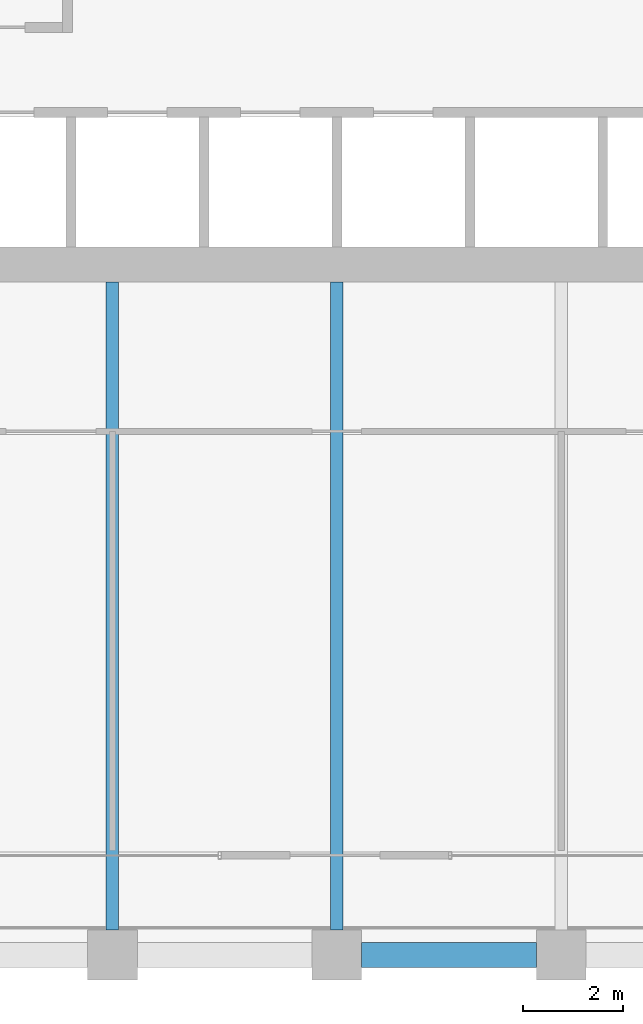
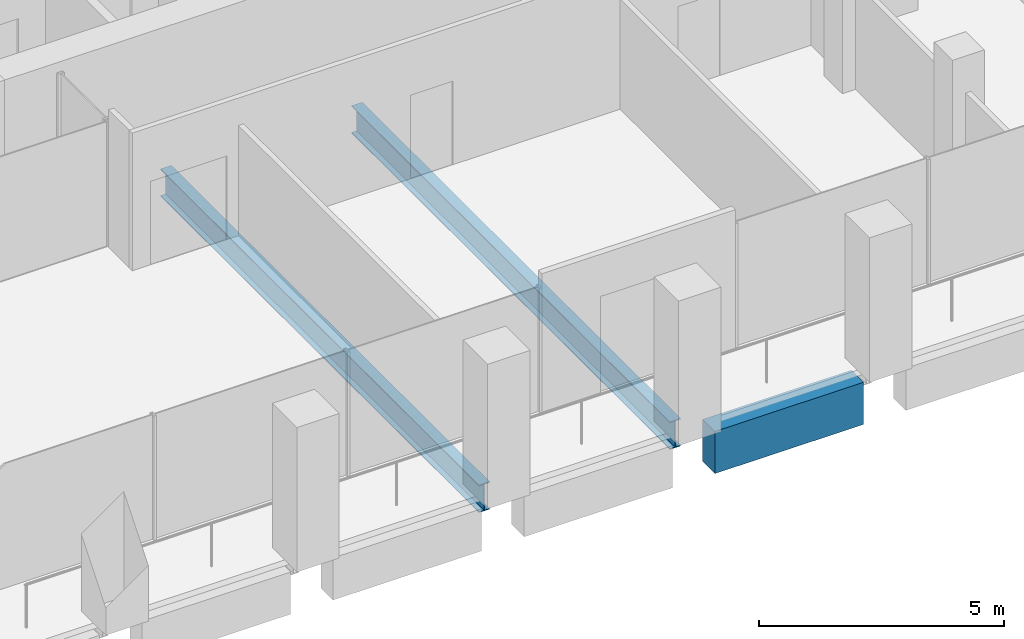
# One storey, part 8 of 46: 3 beams.
"""IFC4 building model written with IfcOpenShell, lengths in metres."""

from ifc_helpers import new_model, si_unit, direction, frame, origin, origin_2d, place, context, subcontext, project, spatial, rectangle, i_section, extrude, material, material_profile, profile_set, type_object, element, save


model = new_model("IFC4")

# Units and contexts
model_context = context("Model", 3, precision=1e-05, world=origin(), true_north=direction((0.0, 1.0)))
body_context = subcontext(model_context, "Body", "Model", "MODEL_VIEW")
ifc_project = project(units=[si_unit("LENGTHUNIT", "METRE"), si_unit("AREAUNIT", "SQUARE_METRE"), si_unit("VOLUMEUNIT", "CUBIC_METRE"), si_unit("PLANEANGLEUNIT", "RADIAN"), si_unit("MASSUNIT", "GRAM", prefix="KILO")], contexts=[model_context])

# Site, building, storey
site_placement = place(None, origin())
site = spatial("IfcSite", under=ifc_project, at=site_placement, CompositionType="ELEMENT")
building_placement = place(site_placement, origin())
building = spatial("IfcBuilding", under=site, at=building_placement, Name="Altepetl Exchange Towers", CompositionType="ELEMENT")
storey_placement = place(building_placement, frame((0.0, 0.0, 106.39990234375)))
storey = spatial("IfcBuildingStorey", under=building, at=storey_placement, Name="L26", CompositionType="ELEMENT", Elevation=106.39990234375)

# Beams
ifc_material_1 = material(Name="Steel S355", Category="steel")
ifc_material_profile_1 = material_profile(ifc_material_1, i_section(OverallWidth=0.25390625, OverallDepth=0.68408203125, WebThickness=0.012451171875, FlangeThickness=0.018798828125, at=origin_2d()), Name="W27X94")
ifc_profile_set_1 = profile_set([ifc_material_profile_1], Name="Steel S355")
beam_type_1 = type_object("IfcBeamType", Name="Floor beam W27X94", PredefinedType="BEAM", material=ifc_profile_set_1)
for number, where, z_axis, x_axis, name in (
    (1, (45.0, 27.5, -0.491943359375), (0.0, 1.0, 0.0), (-1.0, 0.0, 0.0), "bm:A:L26:015"),
    (2, (49.5, 27.5, -0.491943359375), (0.0, 1.0, 0.0), (-1.0, 0.0, 0.0), "bm:A:L26:016"),
):
    element("IfcBeam", number, at=place(storey_placement, frame(where, z_axis=z_axis, x_axis=x_axis)), inside=storey, type_object=beam_type_1, Name=name, PredefinedType="BEAM", context=body_context, shape_type="SweptSolid", body=[
        extrude(i_section(OverallWidth=0.25390625, OverallDepth=0.68408203125, WebThickness=0.012451171875, FlangeThickness=0.018798828125, at=origin_2d()), origin(), (0.0, 0.0, 1.0), 13.0),
    ])
ifc_material_2 = material(Name="Concrete C50/60 precast with cantera blanca facing", Category="concrete")
ifc_material_profile_2 = material_profile(ifc_material_2, rectangle(XDim=0.5, YDim=1.050048828125, at=origin_2d()), Name="500 x 1050")
ifc_profile_set_2 = profile_set([ifc_material_profile_2], Name="Concrete C50/60 precast with cantera blanca facing")
beam_type_2 = type_object("IfcBeamType", Name="Spandrel beam 500x1050 cantera blanca", PredefinedType="SPANDREL", material=ifc_profile_set_2)
beam_placement = place(storey_placement, frame((50.0, 27.0, -0.6748046875), z_axis=(1.0, 0.0, 0.0), x_axis=(0.0, 1.0, 0.0)))
element("IfcBeam", 3, at=beam_placement, inside=storey, type_object=beam_type_2, Name="sp:A:L26:004", PredefinedType="SPANDREL", context=body_context, shape_type="SweptSolid", body=[
    extrude(rectangle(XDim=0.5, YDim=1.050048828125, at=origin_2d()), origin(), (0.0, 0.0, 1.0), 3.5),
])

save(model, "model.ifc")
